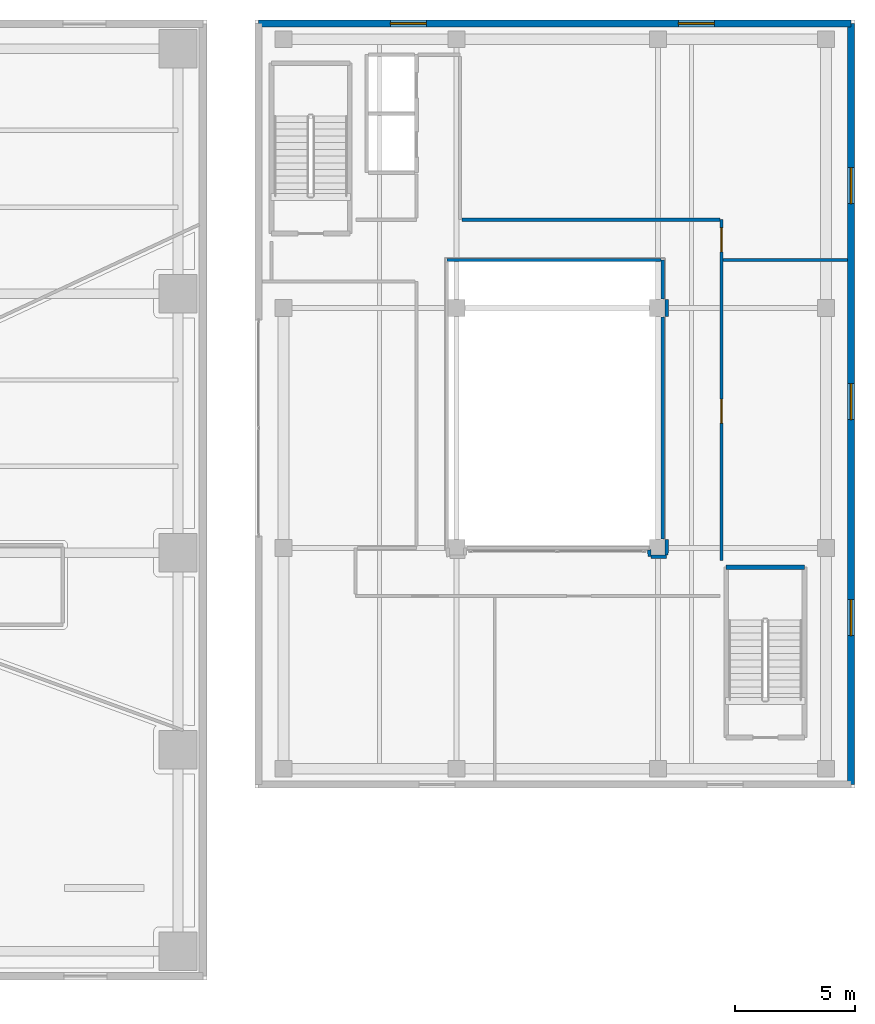
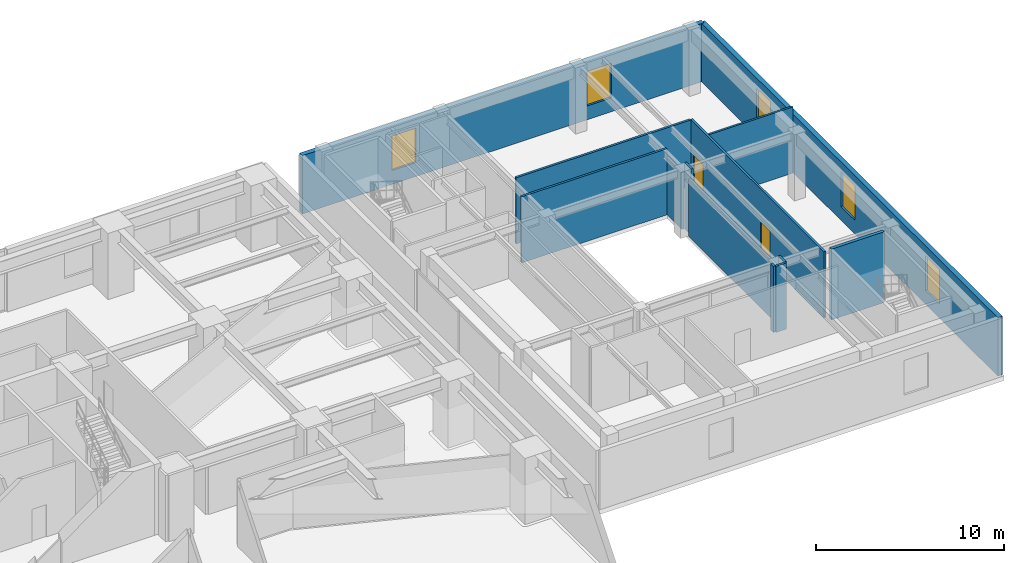
# One storey, part 21 of 25: 13 walls, 5 windows, 2 doors, 7 openings.
"""IFC4 building model written with IfcOpenShell, lengths in metres."""

from ifc_helpers import new_model, si_unit, direction, frame, frame_2d, origin, place, context, subcontext, project, spatial, rectangle, extrude, source, transform, mapped, material, layer, layer_set, type_object, type_shapes, element, fill, save


model = new_model("IFC4")

# Units and contexts
model_context = context("Model", 3, precision=1e-05, world=origin(), true_north=direction((0.0, 1.0)))
body_context = subcontext(model_context, "Body", "Model", "MODEL_VIEW")
ifc_project = project(units=[si_unit("LENGTHUNIT", "METRE"), si_unit("AREAUNIT", "SQUARE_METRE"), si_unit("VOLUMEUNIT", "CUBIC_METRE"), si_unit("PLANEANGLEUNIT", "RADIAN"), si_unit("MASSUNIT", "GRAM", prefix="KILO")], contexts=[model_context])

# Site, building, storey
site_placement = place(None, origin())
site = spatial("IfcSite", under=ifc_project, at=site_placement, CompositionType="ELEMENT")
building_placement = place(site_placement, origin())
building = spatial("IfcBuilding", under=site, at=building_placement, Name="Talar Marvaseh", CompositionType="ELEMENT")
storey_placement = place(building_placement, frame((0.0, 0.0, 5.199951171875)))
storey = spatial("IfcBuildingStorey", under=building, at=storey_placement, Name="L01", CompositionType="ELEMENT", Elevation=5.199951171875)

# Wall
ifc_material_1 = material(Name="Gypsum Board Partition Assembly")
ifc_layer_1 = layer(ifc_material_1, 0.1201171875)
ifc_layer_set_1 = layer_set([ifc_layer_1], Name="Gypsum Board Partition Assembly")
wall_type_1 = type_object("IfcWallType", Name="Demountable Studio Room Partition 120", PredefinedType="PARTITIONING", material=ifc_layer_set_1)
wall_1_placement = place(storey_placement, frame((73.514892578125, 38.0, 0.0), z_axis=(0.0, 0.0, 1.0), x_axis=(1.0, 0.0, 0.0)))
element("IfcWall", 1, at=wall_1_placement, inside=storey, type_object=wall_type_1, Name="L01 Interior Partition Wall", PredefinedType="PARTITIONING", context=body_context, shape_type="SweptSolid", body=[
    extrude(rectangle(XDim=5.18505859375, YDim=0.1201171875, at=frame_2d((2.592529296875, 0.0))), origin(), (0.0, 0.0, 1.0), 4.300048828125),
])

# Wall, openings, doors
ifc_layer_2 = layer(ifc_material_1, 0.135009765625)
ifc_layer_set_2 = layer_set([ifc_layer_2], Name="Gypsum Board Partition Assembly")
wall_type_2 = type_object("IfcWallType", Name="Gallery High-Acoustic Partition 135", PredefinedType="PARTITIONING", material=ifc_layer_set_2)
wall_2_placement = place(storey_placement, frame((73.449951171875, 39.679931640625, 0.0), z_axis=(0.0, 0.0, 1.0), x_axis=(0.0, -1.0, 0.0)))
wall_2 = element("IfcWall", 2, at=wall_2_placement, inside=storey, type_object=wall_type_2, Name="L01 Interior Partition Wall", PredefinedType="PARTITIONING", context=body_context, shape_type="SweptSolid", body=[
    extrude(rectangle(XDim=14.2099609375, YDim=0.135009765625, at=frame_2d((7.10498046875, 0.0))), origin(), (0.0, 0.0, 1.0), 4.300048828125),
])
opening_1_placement = place(wall_2_placement, frame((7.47998046875, 0.0, 0.0)))
opening_1 = element("IfcOpeningElement", 3, at=opening_1_placement, cuts=wall_2, Name="Opening DR-RM100", PredefinedType="OPENING", context=body_context, shape_type="SweptSolid", body=[
    extrude(rectangle(XDim=1.0, YDim=2.14990234375, at=frame_2d((0.5, 1.074951171875))), frame((0.0, 0.07763671875, 0.0), z_axis=(0.0, -1.0, 0.0), x_axis=(1.0, 0.0, 0.0)), (0.0, 0.0, 1.0), 0.155029296875),
])
opening_2_placement = place(wall_2_placement, frame((0.340087890625, 0.0, 0.0)))
opening_2 = element("IfcOpeningElement", 4, at=opening_2_placement, cuts=wall_2, Name="Opening DR-RM100", PredefinedType="OPENING", context=body_context, shape_type="SweptSolid", body=[
    extrude(rectangle(XDim=1.0, YDim=2.14990234375, at=frame_2d((0.5, 1.074951171875))), frame((0.0, 0.07763671875, 0.0), z_axis=(0.0, -1.0, 0.0), x_axis=(1.0, 0.0, 0.0)), (0.0, 0.0, 1.0), 0.155029296875),
])
ifc_material_2 = material(Name="Acoustic Engineered Oak Timber", Category="wood")
door_type = type_object("IfcDoorType", Name="Corridor Fire-Rated Gallery Door 1000x2150", OperationType="NOTDEFINED", PredefinedType="DOOR", material=ifc_material_2)
shared_shape_1 = source(origin(), body_context, "Body", "SweptSolid", [
    extrude(rectangle(XDim=1.0, YDim=2.14990234375, at=frame_2d((0.5, 1.074951171875))), frame((0.0, 0.02490234375, 0.0), z_axis=(0.0, -1.0, 0.0), x_axis=(1.0, 0.0, 0.0)), (0.0, 0.0, 1.0), 0.050048828125),
])
type_shapes(door_type, [shared_shape_1])
door_1_placement = place(opening_1_placement, origin())
door_1 = element("IfcDoor", 5, at=door_1_placement, inside=storey, type_object=door_type, Name="L01 Bazaar Courtyard Tea Room Door", OperationType="SINGLE_SWING_LEFT", OverallHeight=2.14990234375, OverallWidth=1.0, PredefinedType="DOOR", context=body_context, shape_type="MappedRepresentation", body=[
    mapped(shared_shape_1, transform((0.0, 0.0, 0.0), x_axis=(1.0, 0.0, 0.0), y_axis=(0.0, 1.0, 0.0), z_axis=(0.0, 0.0, 1.0), scale=1.0)),
])
fill(opening_1, door_1)
door_2_placement = place(opening_2_placement, origin())
door_2 = element("IfcDoor", 6, at=door_2_placement, inside=storey, type_object=door_type, Name="L01 WC Market Public and Accessible Toilets Door", OperationType="SINGLE_SWING_RIGHT", OverallHeight=2.14990234375, OverallWidth=1.0, PredefinedType="DOOR", context=body_context, shape_type="MappedRepresentation", body=[
    mapped(shared_shape_1, transform((0.0, 0.0, 0.0), x_axis=(1.0, 0.0, 0.0), y_axis=(0.0, 1.0, 0.0), z_axis=(0.0, 0.0, 1.0), scale=1.0)),
])
fill(opening_2, door_2)

# Walls
wall_3_placement = place(storey_placement, frame((62.62353515625, 39.679931640625, 0.0), z_axis=(0.0, 0.0, 1.0), x_axis=(1.0, 0.0, 0.0)))
element("IfcWall", 7, at=wall_3_placement, inside=storey, type_object=wall_type_2, Name="L01 Interior Partition Wall", PredefinedType="PARTITIONING", context=body_context, shape_type="SweptSolid", body=[
    extrude(rectangle(XDim=10.7529296875, YDim=0.135009765625, at=frame_2d((5.37646484375, 0.0))), origin(), (0.0, 0.0, 1.0), 4.300048828125),
])
wall_4_placement = place(storey_placement, frame((70.4365234375, 25.926513671875, 0.0), z_axis=(0.0, 0.0, 1.0), x_axis=(0.021898706873, -0.999760194565, 0.0)))
element("IfcWall", 8, at=wall_4_placement, inside=storey, type_object=wall_type_2, Name="L01 Interior Partition Wall", PredefinedType="PARTITIONING", context=body_context, shape_type="SweptSolid", body=[
    extrude(rectangle(XDim=0.289794921875, YDim=0.135009765625, at=frame_2d((0.14501953125, 0.0))), origin(), (0.0, 0.0, 1.0), 4.300048828125),
])
for number, where, z_axis, x_axis, name in (
    (9, (70.516357421875, 25.63671875, 0.0), (0.0, 0.0, 1.0), (0.999999348925, 0.001141117553, 0.0), "L01 Interior Partition Wall"),
    (10, (71.158935546875, 25.7109375, 0.0), (0.0, 0.0, 1.0), (0.009128565999, 0.999958333773, 0.0), "L01 Interior Partition Wall"),
):
    element("IfcWall", number, at=place(storey_placement, frame(where, z_axis=z_axis, x_axis=x_axis)), inside=storey, type_object=wall_type_2, Name=name, PredefinedType="PARTITIONING", context=body_context, shape_type="SweptSolid", body=[
        extrude(rectangle(XDim=0.641845703125, YDim=0.135009765625, at=frame_2d((0.32080078125, 0.0))), origin(), (0.0, 0.0, 1.0), 4.300048828125),
    ])
wall_5_placement = place(storey_placement, frame((71.0, 26.364990234375, 0.0), z_axis=(0.0, 0.0, 1.0), x_axis=(0.0, 1.0, 0.0)))
element("IfcWall", 11, at=wall_5_placement, inside=storey, type_object=wall_type_2, Name="L01 Interior Partition Wall", PredefinedType="PARTITIONING", context=body_context, shape_type="SweptSolid", body=[
    extrude(rectangle(XDim=9.27001953125, YDim=0.135009765625, at=frame_2d((4.635009765625, 0.0))), origin(), (0.0, 0.0, 1.0), 3.73095703125),
])
wall_6_placement = place(storey_placement, frame((71.1650390625, 35.64990234375, 0.0), z_axis=(0.0, 0.0, 1.0), x_axis=(-0.000347342806, 0.999999939676, 0.0)))
element("IfcWall", 12, at=wall_6_placement, inside=storey, type_object=wall_type_2, Name="L01 Interior Partition Wall", PredefinedType="PARTITIONING", context=body_context, shape_type="SweptSolid", body=[
    extrude(rectangle(XDim=0.702880859375, YDim=0.135009765625, at=frame_2d((0.3515625, 0.0))), origin(), (0.0, 0.0, 1.0), 4.300048828125),
])
wall_7_placement = place(storey_placement, frame((71.0, 36.364990234375, 0.0), z_axis=(0.0, 0.0, 1.0), x_axis=(0.0, 1.0, 0.0)))
element("IfcWall", 13, at=wall_7_placement, inside=storey, type_object=wall_type_2, Name="L01 Interior Partition Wall", PredefinedType="PARTITIONING", context=body_context, shape_type="SweptSolid", body=[
    extrude(rectangle(XDim=1.635009765625, YDim=0.135009765625, at=frame_2d((0.8173828125, 0.0))), origin(), (0.0, 0.0, 1.0), 3.73095703125),
])
wall_8_placement = place(storey_placement, frame((70.926513671875, 38.0, 0.0), z_axis=(0.0, 0.0, 1.0), x_axis=(-1.0, 0.0, 0.0)))
element("IfcWall", 14, at=wall_8_placement, inside=storey, type_object=wall_type_2, Name="L01 Interior Partition Wall", PredefinedType="PARTITIONING", context=body_context, shape_type="SweptSolid", body=[
    extrude(rectangle(XDim=8.926513671875, YDim=0.135009765625, at=frame_2d((4.46337890625, 0.0))), origin(), (0.0, 0.0, 1.0), 4.300048828125),
])

# Wall, openings, windows
ifc_material_3 = material(Name="Precast concrete C45/55", Category="concrete")
ifc_layer_3 = layer(ifc_material_3, 0.2900390625)
ifc_layer_set_3 = layer_set([ifc_layer_3], Name="Precast concrete C45/55")
wall_type_3 = type_object("IfcWallType", Name="Market Hall Precast Limestone Bazaar Wall 290", PredefinedType="SOLIDWALL", material=ifc_layer_set_3)
wall_9_placement = place(storey_placement, frame((54.14990234375, 47.85009765625, 0.0), z_axis=(0.0, 0.0, 1.0), x_axis=(1.0, 0.0, 0.0)))
wall_9 = element("IfcWall", 15, at=wall_9_placement, inside=storey, type_object=wall_type_3, Name="L01 Market Hall North Promenade Wall", PredefinedType="SOLIDWALL", context=body_context, shape_type="SweptSolid", body=[
    extrude(rectangle(XDim=24.7001953125, YDim=0.2900390625, at=frame_2d((12.35009765625, 0.0))), origin(), (0.0, 0.0, 1.0), 3.800048828125),
])
opening_3_placement = place(wall_9_placement, frame((5.5, 0.0, 0.89990234375)))
opening_3 = element("IfcOpeningElement", 16, at=opening_3_placement, cuts=wall_9, Name="Opening WN-MKT15", PredefinedType="OPENING", context=body_context, shape_type="SweptSolid", body=[
    extrude(rectangle(XDim=1.5, YDim=2.25, at=frame_2d((0.75, 1.125))), frame((0.0, 0.155029296875, 0.0), z_axis=(0.0, -1.0, 0.0), x_axis=(1.0, 0.0, 0.0)), (0.0, 0.0, 1.0), 0.31005859375),
])
opening_4_placement = place(wall_9_placement, frame((17.5, 0.0, 0.89990234375)))
opening_4 = element("IfcOpeningElement", 17, at=opening_4_placement, cuts=wall_9, Name="Opening WN-MKT15", PredefinedType="OPENING", context=body_context, shape_type="SweptSolid", body=[
    extrude(rectangle(XDim=1.5, YDim=2.25, at=frame_2d((0.75, 1.125))), frame((0.0, 0.155029296875, 0.0), z_axis=(0.0, -1.0, 0.0), x_axis=(1.0, 0.0, 0.0)), (0.0, 0.0, 1.0), 0.31005859375),
])
ifc_material_4 = material(Name="Laminated Low-E Solar Glass", Category="glass")
window_type = type_object("IfcWindowType", Name="Market Hall Bazaar Punched Window 1500x2250", PartitioningType="SINGLE_PANEL", PredefinedType="WINDOW", material=ifc_material_4)
shared_shape_2 = source(origin(), body_context, "Body", "SweptSolid", [
    extrude(rectangle(XDim=1.5, YDim=2.25, at=frame_2d((0.75, 1.125))), frame((0.0, 0.030029296875, 0.0), z_axis=(0.0, -1.0, 0.0), x_axis=(1.0, 0.0, 0.0)), (0.0, 0.0, 1.0), 0.06005859375),
])
type_shapes(window_type, [shared_shape_2])
window_1_placement = place(opening_3_placement, origin())
window_1 = element("IfcWindow", 18, at=window_1_placement, inside=storey, type_object=window_type, Name="L01 Market Bazaar Window", OverallHeight=2.25, OverallWidth=1.5, PartitioningType="SINGLE_PANEL", PredefinedType="WINDOW", context=body_context, shape_type="MappedRepresentation", body=[
    mapped(shared_shape_2, transform((0.0, 0.0, 0.0), x_axis=(1.0, 0.0, 0.0), y_axis=(0.0, 1.0, 0.0), z_axis=(0.0, 0.0, 1.0), scale=1.0)),
])
fill(opening_3, window_1)
window_2_placement = place(opening_4_placement, origin())
window_2 = element("IfcWindow", 19, at=window_2_placement, inside=storey, type_object=window_type, Name="L01 Market Bazaar Window", OverallHeight=2.25, OverallWidth=1.5, PartitioningType="SINGLE_PANEL", PredefinedType="WINDOW", context=body_context, shape_type="MappedRepresentation", body=[
    mapped(shared_shape_2, transform((0.0, 0.0, 0.0), x_axis=(1.0, 0.0, 0.0), y_axis=(0.0, 1.0, 0.0), z_axis=(0.0, 0.0, 1.0), scale=1.0)),
])
fill(opening_4, window_2)

wall_10_placement = place(storey_placement, frame((78.85009765625, 47.85009765625, 0.0), z_axis=(0.0, 0.0, 1.0), x_axis=(0.0, -1.0, 0.0)))
wall_10 = element("IfcWall", 20, at=wall_10_placement, inside=storey, type_object=wall_type_3, Name="L01 Market Hall East Facade Wall", PredefinedType="SOLIDWALL", context=body_context, shape_type="SweptSolid", body=[
    extrude(rectangle(XDim=31.7001953125, YDim=0.2900390625, at=frame_2d((15.85009765625, 0.0))), origin(), (0.0, 0.0, 1.0), 3.800048828125),
])
opening_5_placement = place(wall_10_placement, frame((6.0, 0.0, 0.89990234375)))
opening_5 = element("IfcOpeningElement", 21, at=opening_5_placement, cuts=wall_10, Name="Opening WN-MKT15", PredefinedType="OPENING", context=body_context, shape_type="SweptSolid", body=[
    extrude(rectangle(XDim=1.5, YDim=2.25, at=frame_2d((0.75, 1.125))), frame((0.0, 0.155029296875, 0.0), z_axis=(0.0, -1.0, 0.0), x_axis=(1.0, 0.0, 0.0)), (0.0, 0.0, 1.0), 0.31005859375),
])
opening_6_placement = place(wall_10_placement, frame((15.0, 0.0, 0.89990234375)))
opening_6 = element("IfcOpeningElement", 22, at=opening_6_placement, cuts=wall_10, Name="Opening WN-MKT15", PredefinedType="OPENING", context=body_context, shape_type="SweptSolid", body=[
    extrude(rectangle(XDim=1.5, YDim=2.25, at=frame_2d((0.75, 1.125))), frame((0.0, 0.155029296875, 0.0), z_axis=(0.0, -1.0, 0.0), x_axis=(1.0, 0.0, 0.0)), (0.0, 0.0, 1.0), 0.31005859375),
])
opening_7_placement = place(wall_10_placement, frame((24.0, 0.0, 0.89990234375)))
opening_7 = element("IfcOpeningElement", 23, at=opening_7_placement, cuts=wall_10, Name="Opening WN-MKT15", PredefinedType="OPENING", context=body_context, shape_type="SweptSolid", body=[
    extrude(rectangle(XDim=1.5, YDim=2.25, at=frame_2d((0.75, 1.125))), frame((0.0, 0.155029296875, 0.0), z_axis=(0.0, -1.0, 0.0), x_axis=(1.0, 0.0, 0.0)), (0.0, 0.0, 1.0), 0.31005859375),
])
window_3_placement = place(opening_5_placement, origin())
window_3 = element("IfcWindow", 24, at=window_3_placement, inside=storey, type_object=window_type, Name="L01 Market Bazaar Window", OverallHeight=2.25, OverallWidth=1.5, PartitioningType="SINGLE_PANEL", PredefinedType="WINDOW", context=body_context, shape_type="MappedRepresentation", body=[
    mapped(shared_shape_2, transform((0.0, 0.0, 0.0), x_axis=(1.0, 0.0, 0.0), y_axis=(0.0, 1.0, 0.0), z_axis=(0.0, 0.0, 1.0), scale=1.0)),
])
fill(opening_5, window_3)
window_4_placement = place(opening_6_placement, origin())
window_4 = element("IfcWindow", 25, at=window_4_placement, inside=storey, type_object=window_type, Name="L01 Market Bazaar Window", OverallHeight=2.25, OverallWidth=1.5, PartitioningType="SINGLE_PANEL", PredefinedType="WINDOW", context=body_context, shape_type="MappedRepresentation", body=[
    mapped(shared_shape_2, transform((0.0, 0.0, 0.0), x_axis=(1.0, 0.0, 0.0), y_axis=(0.0, 1.0, 0.0), z_axis=(0.0, 0.0, 1.0), scale=1.0)),
])
fill(opening_6, window_4)
window_5_placement = place(opening_7_placement, origin())
window_5 = element("IfcWindow", 26, at=window_5_placement, inside=storey, type_object=window_type, Name="L01 Market Bazaar Window", OverallHeight=2.25, OverallWidth=1.5, PartitioningType="SINGLE_PANEL", PredefinedType="WINDOW", context=body_context, shape_type="MappedRepresentation", body=[
    mapped(shared_shape_2, transform((0.0, 0.0, 0.0), x_axis=(1.0, 0.0, 0.0), y_axis=(0.0, 1.0, 0.0), z_axis=(0.0, 0.0, 1.0), scale=1.0)),
])
fill(opening_7, window_5)

# Wall
ifc_material_5 = material(Name="Concrete C50/60", Category="concrete")
ifc_layer_4 = layer(ifc_material_5, 0.199951171875)
ifc_layer_set_4 = layer_set([ifc_layer_4], Name="Concrete C50/60")
wall_type_4 = type_object("IfcWallType", Name="Stair Shaft Structural Concrete Shear Wall 200", PredefinedType="SHEAR", material=ifc_layer_set_4)
wall_11_placement = place(storey_placement, frame((73.639892578125, 25.199951171875, 0.0), z_axis=(0.0, 0.0, 1.0), x_axis=(1.0, 0.0, 0.0)))
element("IfcWall", 27, at=wall_11_placement, inside=storey, type_object=wall_type_4, Name="L01 MH-ST2 North Shear Wall", PredefinedType="SHEAR", context=body_context, shape_type="SweptSolid", body=[
    extrude(rectangle(XDim=3.260009765625, YDim=0.199951171875, at=frame_2d((1.6298828125, 0.0))), origin(), (0.0, 0.0, 1.0), 4.60009765625),
])

save(model, "model.ifc")
